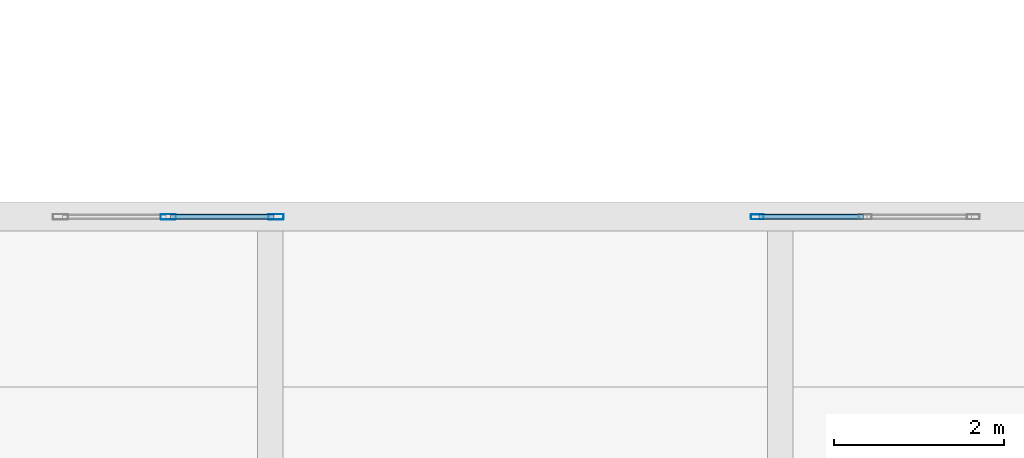
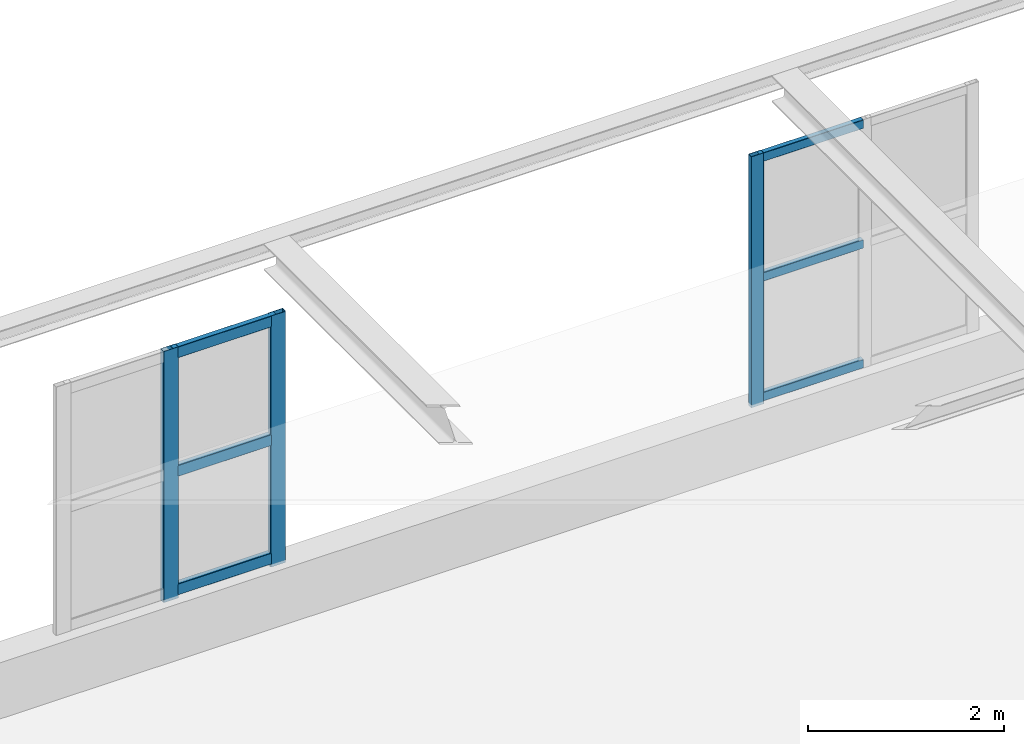
# One storey, part 30 of 97: 9 members, 2 elements without a shape of their own.
"""IFC4 building model written with IfcOpenShell, lengths in metres."""

from ifc_helpers import new_model, si_unit, derived_unit, direction, frame, origin, origin_2d, place, context, subcontext, project, spatial, hollow_rectangle, extrude, material, layer, layer_set, material_profile, profile_set, type_object, element, aggregate, save


model = new_model("IFC4")

# Units and contexts
model_context = context("Model", 3, precision=1e-05, world=origin(), true_north=direction((0.0, 1.0)))
body_context = subcontext(model_context, "Body", "Model", "MODEL_VIEW")
ifc_project = project(units=[si_unit("LENGTHUNIT", "METRE"), si_unit("AREAUNIT", "SQUARE_METRE"), si_unit("VOLUMEUNIT", "CUBIC_METRE"), si_unit("PLANEANGLEUNIT", "RADIAN"), si_unit("MASSUNIT", "GRAM", prefix="KILO"), derived_unit("THERMALTRANSMITTANCEUNIT", [(si_unit("POWERUNIT", "WATT"), 1), (si_unit("LENGTHUNIT", "METRE"), -2), (si_unit("THERMODYNAMICTEMPERATUREUNIT", "KELVIN"), -1)])], contexts=[model_context])

# Site, building, storey
site_placement = place(None, origin())
site = spatial("IfcSite", under=ifc_project, at=site_placement, CompositionType="ELEMENT")
building_placement = place(site_placement, origin())
building = spatial("IfcBuilding", under=site, at=building_placement, Name="Almenara Railside Exhibition Hall", CompositionType="ELEMENT")
storey_placement = place(building_placement, frame((0.0, 0.0, 10.800048828125)))
storey = spatial("IfcBuildingStorey", under=building, at=storey_placement, Name="L02", CompositionType="ELEMENT", Elevation=10.800048828125)

# Curtain wall, member
ifc_material_1 = material(Name="Bronze-anodised aluminium and low-E double glazing", Category="aluminium")
ifc_layer = layer(ifc_material_1, 0.179931640625, Name="Bronze-anodised aluminium and low-E double glazing")
ifc_layer_set = layer_set([ifc_layer], Name="Bronze-anodised aluminium and low-E double glazing")
curtain_wall_type = type_object("IfcCurtainWallType", Name="Belvedere Patio Loggia Curtain Wall 2600x3100", PredefinedType="NOTDEFINED", material=ifc_layer_set)
curtain_wall_1_placement = place(storey_placement, origin())
curtain_wall_1 = element("IfcCurtainWall", 1, at=curtain_wall_1_placement, inside=storey, type_object=curtain_wall_type, Name="Curtain wall CW-BV2-161", PredefinedType="NOTDEFINED")
ifc_material_2 = material(Name="Bronze-anodised aluminium", Category="aluminium")
ifc_material_profile_1 = material_profile(ifc_material_2, hollow_rectangle(XDim=0.06005859375, YDim=0.14990234375, WallThickness=0.00341796875, InnerFilletRadius=0.00341796875, OuterFilletRadius=0.007080078125, at=origin_2d()), Name="ALU-MUL 60x150x3.5")
ifc_profile_set_1 = profile_set([ifc_material_profile_1], Name="Bronze-anodised aluminium")
member_type_1 = type_object("IfcMemberType", Name="Curtain Wall Mullion 60x150x3.5", PredefinedType="MULLION", material=ifc_profile_set_1)
member_1_placement = place(storey_placement, frame((95.72998046875, 54.0, 0.6650390625), z_axis=(0.0, 0.0, 1.0), x_axis=(0.0, 1.0, 0.0)))
member_1 = element("IfcMember", 2, at=member_1_placement, type_object=member_type_1, Name="CW-BV2-161 mullion 1", PredefinedType="MULLION", context=body_context, shape_type="SweptSolid", body=[
    extrude(hollow_rectangle(XDim=0.06005859375, YDim=0.14990234375, WallThickness=0.00341796875, InnerFilletRadius=0.00341796875, OuterFilletRadius=0.007080078125, at=origin_2d()), origin(), (0.0, 0.0, 1.0), 3.135009765625),
])

# Curtain wall, members
curtain_wall_2_placement = place(storey_placement, origin())
curtain_wall_2 = element("IfcCurtainWall", 3, at=curtain_wall_2_placement, inside=storey, type_object=curtain_wall_type, Name="Curtain wall CW-BV2-160", PredefinedType="NOTDEFINED")
ifc_material_profile_2 = material_profile(ifc_material_2, hollow_rectangle(XDim=0.06494140625, YDim=0.179931640625, WallThickness=0.00390625, InnerFilletRadius=0.00390625, OuterFilletRadius=0.008056640625, at=origin_2d()), Name="ALU-MUL 65x180x4")
ifc_profile_set_2 = profile_set([ifc_material_profile_2], Name="Bronze-anodised aluminium")
member_type_2 = type_object("IfcMemberType", Name="Curtain Wall Mullion 65x180x4", PredefinedType="MULLION", material=ifc_profile_set_2)
member_2_placement = place(storey_placement, frame((88.800048828125, 54.0, 0.6650390625), z_axis=(0.0, 0.0, 1.0), x_axis=(0.0, 1.0, 0.0)))
member_2 = element("IfcMember", 4, at=member_2_placement, type_object=member_type_2, Name="CW-BV2-160 mullion 2", PredefinedType="MULLION", context=body_context, shape_type="SweptSolid", body=[
    extrude(hollow_rectangle(XDim=0.06494140625, YDim=0.179931640625, WallThickness=0.00390625, InnerFilletRadius=0.00390625, OuterFilletRadius=0.008056640625, at=origin_2d()), origin(), (0.0, 0.0, 1.0), 3.135009765625),
])
member_3_placement = place(storey_placement, frame((90.0673828125, 54.0, 0.6650390625), z_axis=(0.0, 0.0, 1.0), x_axis=(0.0, 1.0, 0.0)))
member_3 = element("IfcMember", 5, at=member_3_placement, type_object=member_type_2, Name="CW-BV2-160 mullion 3", PredefinedType="MULLION", context=body_context, shape_type="SweptSolid", body=[
    extrude(hollow_rectangle(XDim=0.06494140625, YDim=0.179931640625, WallThickness=0.00390625, InnerFilletRadius=0.00390625, OuterFilletRadius=0.008056640625, at=origin_2d()), origin(), (0.0, 0.0, 1.0), 3.135009765625),
])

# Member
ifc_material_profile_3 = material_profile(ifc_material_2, hollow_rectangle(XDim=0.06005859375, YDim=0.110107421875, WallThickness=0.0029296875, InnerFilletRadius=0.0029296875, OuterFilletRadius=0.006103515625, at=origin_2d()), Name="ALU-TRN 60x110x3")
ifc_profile_set_3 = profile_set([ifc_material_profile_3], Name="Bronze-anodised aluminium")
member_type_3 = type_object("IfcMemberType", Name="Curtain Wall Transom 60x110x3", PredefinedType="USERDEFINED", material=ifc_profile_set_3)
member_4_placement = place(storey_placement, frame((95.751953125, 54.0, 0.7548828125), z_axis=(1.0, 0.0, 0.0), x_axis=(0.0, 1.0, 0.0)))
member_4 = element("IfcMember", 6, at=member_4_placement, type_object=member_type_3, Name="CW-BV2-161 transom 1.1", ObjectType="TRANSOM", PredefinedType="USERDEFINED", context=body_context, shape_type="SweptSolid", body=[
    extrude(hollow_rectangle(XDim=0.06005859375, YDim=0.110107421875, WallThickness=0.0029296875, InnerFilletRadius=0.0029296875, OuterFilletRadius=0.006103515625, at=origin_2d()), origin(), (0.0, 0.0, 1.0), 1.22607421875),
])

member_5_placement = place(storey_placement, frame((95.751953125, 54.0, 2.25), z_axis=(1.0, 0.0, 0.0), x_axis=(0.0, 1.0, 0.0)))
member_5 = element("IfcMember", 7, at=member_5_placement, type_object=member_type_3, Name="CW-BV2-161 transom 1.2", ObjectType="TRANSOM", PredefinedType="USERDEFINED", context=body_context, shape_type="SweptSolid", body=[
    extrude(hollow_rectangle(XDim=0.06005859375, YDim=0.110107421875, WallThickness=0.0029296875, InnerFilletRadius=0.0029296875, OuterFilletRadius=0.006103515625, at=origin_2d()), origin(), (0.0, 0.0, 1.0), 1.22607421875),
])

member_6_placement = place(storey_placement, frame((95.751953125, 54.0, 3.744873046875), z_axis=(1.0, 0.0, 0.0), x_axis=(0.0, 1.0, 0.0)))
member_6 = element("IfcMember", 8, at=member_6_placement, type_object=member_type_3, Name="CW-BV2-161 transom 1.3", ObjectType="TRANSOM", PredefinedType="USERDEFINED", context=body_context, shape_type="SweptSolid", body=[
    extrude(hollow_rectangle(XDim=0.06005859375, YDim=0.110107421875, WallThickness=0.0029296875, InnerFilletRadius=0.0029296875, OuterFilletRadius=0.006103515625, at=origin_2d()), origin(), (0.0, 0.0, 1.0), 1.22607421875),
])

aggregate(curtain_wall_1, [member_1, member_4, member_5, member_6])

ifc_material_profile_4 = material_profile(ifc_material_2, hollow_rectangle(XDim=0.06494140625, YDim=0.139892578125, WallThickness=0.00341796875, InnerFilletRadius=0.00341796875, OuterFilletRadius=0.007080078125, at=origin_2d()), Name="ALU-TRN 65x140x3.5")
ifc_profile_set_4 = profile_set([ifc_material_profile_4], Name="Bronze-anodised aluminium")
member_type_4 = type_object("IfcMemberType", Name="Curtain Wall Transom 65x140x3.5", PredefinedType="USERDEFINED", material=ifc_profile_set_4)
member_7_placement = place(storey_placement, frame((88.824462890625, 54.0, 0.77001953125), z_axis=(1.0, 0.0, 0.0), x_axis=(0.0, 1.0, 0.0)))
member_7 = element("IfcMember", 9, at=member_7_placement, type_object=member_type_4, Name="CW-BV2-160 transom 2.1", ObjectType="TRANSOM", PredefinedType="USERDEFINED", context=body_context, shape_type="SweptSolid", body=[
    extrude(hollow_rectangle(XDim=0.06494140625, YDim=0.139892578125, WallThickness=0.00341796875, InnerFilletRadius=0.00341796875, OuterFilletRadius=0.007080078125, at=origin_2d()), origin(), (0.0, 0.0, 1.0), 1.218505859375),
])

member_8_placement = place(storey_placement, frame((88.824462890625, 54.0, 2.25), z_axis=(1.0, 0.0, 0.0), x_axis=(0.0, 1.0, 0.0)))
member_8 = element("IfcMember", 10, at=member_8_placement, type_object=member_type_4, Name="CW-BV2-160 transom 2.2", ObjectType="TRANSOM", PredefinedType="USERDEFINED", context=body_context, shape_type="SweptSolid", body=[
    extrude(hollow_rectangle(XDim=0.06494140625, YDim=0.139892578125, WallThickness=0.00341796875, InnerFilletRadius=0.00341796875, OuterFilletRadius=0.007080078125, at=origin_2d()), origin(), (0.0, 0.0, 1.0), 1.218505859375),
])

member_9_placement = place(storey_placement, frame((88.824462890625, 54.0, 3.72998046875), z_axis=(1.0, 0.0, 0.0), x_axis=(0.0, 1.0, 0.0)))
member_9 = element("IfcMember", 11, at=member_9_placement, type_object=member_type_4, Name="CW-BV2-160 transom 2.3", ObjectType="TRANSOM", PredefinedType="USERDEFINED", context=body_context, shape_type="SweptSolid", body=[
    extrude(hollow_rectangle(XDim=0.06494140625, YDim=0.139892578125, WallThickness=0.00341796875, InnerFilletRadius=0.00341796875, OuterFilletRadius=0.007080078125, at=origin_2d()), origin(), (0.0, 0.0, 1.0), 1.218505859375),
])

aggregate(curtain_wall_2, [member_2, member_3, member_7, member_8, member_9])

save(model, "model.ifc")
